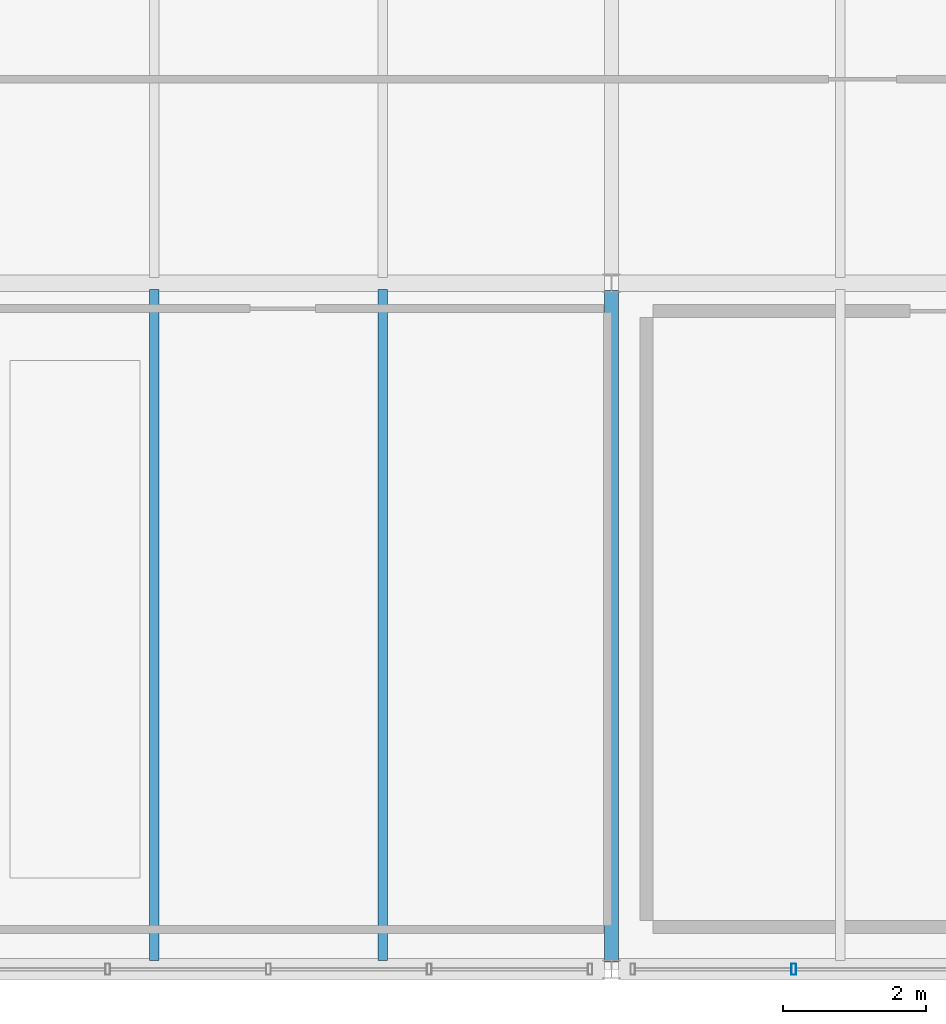
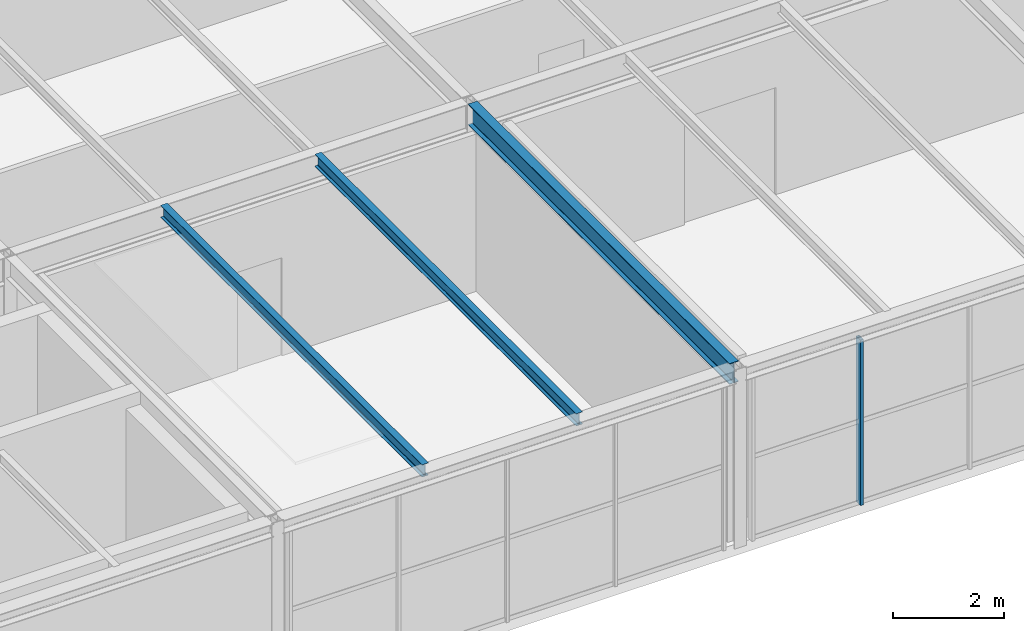
# One storey, part 19 of 33: 3 beams, 1 member, 1 element without a shape of its own.
"""IFC4 building model written with IfcOpenShell, lengths in metres."""

from ifc_helpers import new_model, si_unit, direction, frame, origin, origin_2d, place, context, subcontext, project, spatial, hollow_rectangle, i_section, extrude, material, material_profile, profile_set, type_object, element, aggregate, save


model = new_model("IFC4")

# Units and contexts
model_context = context("Model", 3, precision=1e-05, world=origin(), true_north=direction((0.0, 1.0)))
body_context = subcontext(model_context, "Body", "Model", "MODEL_VIEW")
ifc_project = project(units=[si_unit("LENGTHUNIT", "METRE"), si_unit("AREAUNIT", "SQUARE_METRE"), si_unit("VOLUMEUNIT", "CUBIC_METRE"), si_unit("PLANEANGLEUNIT", "RADIAN"), si_unit("MASSUNIT", "GRAM", prefix="KILO")], contexts=[model_context])

# Site, building, storey
site_placement = place(None, origin())
site = spatial("IfcSite", under=ifc_project, at=site_placement, CompositionType="ELEMENT")
building_placement = place(site_placement, origin())
building = spatial("IfcBuilding", under=site, at=building_placement, Name="Coralgate Yard Interchange", CompositionType="ELEMENT")
storey_placement = place(building_placement, frame((0.0, 0.0, 23.10009765625)))
storey = spatial("IfcBuildingStorey", under=building, at=storey_placement, Name="L05", CompositionType="ELEMENT", Elevation=23.10009765625)

# Beams
ifc_material_1 = material(Name="Structural steel S355J2", Category="steel")
ifc_material_profile_1 = material_profile(ifc_material_1, i_section(OverallWidth=0.1904296875, OverallDepth=0.45703125, WebThickness=0.009033203125, FlangeThickness=0.014404296875, FilletRadius=0.01025390625, at=origin_2d()), Name="UB 457x191x74")
ifc_profile_set_1 = profile_set([ifc_material_profile_1], Name="Structural steel S355J2")
beam_type_1 = type_object("IfcBeamType", Name="BM-SB-2", PredefinedType="BEAM", material=ifc_profile_set_1)
beam_placement = place(storey_placement, frame((38.39990234375, 0.10009765625, 3.69140625), z_axis=(0.0, 1.0, 0.0), x_axis=(-1.0, 0.0, 0.0)))
element("IfcBeam", 1, at=beam_placement, inside=storey, type_object=beam_type_1, Name="L05 primary grid girder X4 Y0-1", PredefinedType="BEAM", context=body_context, shape_type="SweptSolid", body=[
    extrude(i_section(OverallWidth=0.1904296875, OverallDepth=0.45703125, WebThickness=0.009033203125, FlangeThickness=0.014404296875, FilletRadius=0.01025390625, at=origin_2d()), origin(), (0.0, 0.0, 1.0), 9.39990234375),
])
ifc_material_profile_2 = material_profile(ifc_material_1, i_section(OverallWidth=0.135009765625, OverallDepth=0.27001953125, WebThickness=0.006591796875, FlangeThickness=0.01025390625, FilletRadius=0.014892578125, at=origin_2d()), Name="IPE 270")
ifc_profile_set_2 = profile_set([ifc_material_profile_2], Name="Structural steel S355J2")
beam_type_2 = type_object("IfcBeamType", Name="BM-SJ-3", PredefinedType="JOIST", material=ifc_profile_set_2)
for number, where, z_axis, x_axis, name in (
    (2, (32.0, 0.1201171875, 3.784912109375), (0.0, 1.0, 0.0), (-1.0, 0.0, 0.0), "L05 composite floor joist 3-0-1"),
    (3, (35.199951171875, 0.1201171875, 3.784912109375), (0.0, 1.0, 0.0), (-1.0, 0.0, 0.0), "L05 composite floor joist 3-0-2"),
):
    element("IfcBeam", number, at=place(storey_placement, frame(where, z_axis=z_axis, x_axis=x_axis)), inside=storey, type_object=beam_type_2, Name=name, PredefinedType="JOIST", context=body_context, shape_type="SweptSolid", body=[
        extrude(i_section(OverallWidth=0.135009765625, OverallDepth=0.27001953125, WebThickness=0.006591796875, FlangeThickness=0.01025390625, FilletRadius=0.014892578125, at=origin_2d()), origin(), (0.0, 0.0, 1.0), 9.395751953125),
    ])

# Curtain wall, member
ifc_material_2 = material(Name="Anodised coastal aluminium and solar-control low-E glass", Category="aluminium")
curtain_wall_type = type_object("IfcCurtainWallType", Name="CW-CW-L05-A", PredefinedType="NOTDEFINED", material=ifc_material_2)
curtain_wall_placement = place(storey_placement, origin())
curtain_wall = element("IfcCurtainWall", 4, at=curtain_wall_placement, inside=storey, type_object=curtain_wall_type, Name="L05 unitised curtain wall CW-L05-S-04-00", PredefinedType="NOTDEFINED")
ifc_material_3 = material(Name="Anodised coastal aluminium 6063-T6", Category="aluminium")
ifc_material_profile_3 = material_profile(ifc_material_3, hollow_rectangle(XDim=0.06494140625, YDim=0.159912109375, WallThickness=0.00390625, InnerFilletRadius=0.00390625, OuterFilletRadius=0.008056640625, at=origin_2d()), Name="ALU 65x160x4")
ifc_profile_set_3 = profile_set([ifc_material_profile_3], Name="Anodised coastal aluminium 6063-T6")
member_type = type_object("IfcMemberType", Name="MB-MUL-160", PredefinedType="MULLION", material=ifc_profile_set_3)
member_placement = place(storey_placement, frame((40.949951171875, 0.0, 0.0), z_axis=(0.0, 0.0, 1.0), x_axis=(1.0, 0.0, 0.0)))
member = element("IfcMember", 5, at=member_placement, type_object=member_type, Name="CW-L05-S-04-00 vertical mullion 4", PredefinedType="MULLION", context=body_context, shape_type="SweptSolid", body=[
    extrude(hollow_rectangle(XDim=0.06494140625, YDim=0.159912109375, WallThickness=0.00390625, InnerFilletRadius=0.00390625, OuterFilletRadius=0.008056640625, at=origin_2d()), origin(), (0.0, 0.0, 1.0), 3.6298828125),
])
aggregate(curtain_wall, [member])

save(model, "model.ifc")
